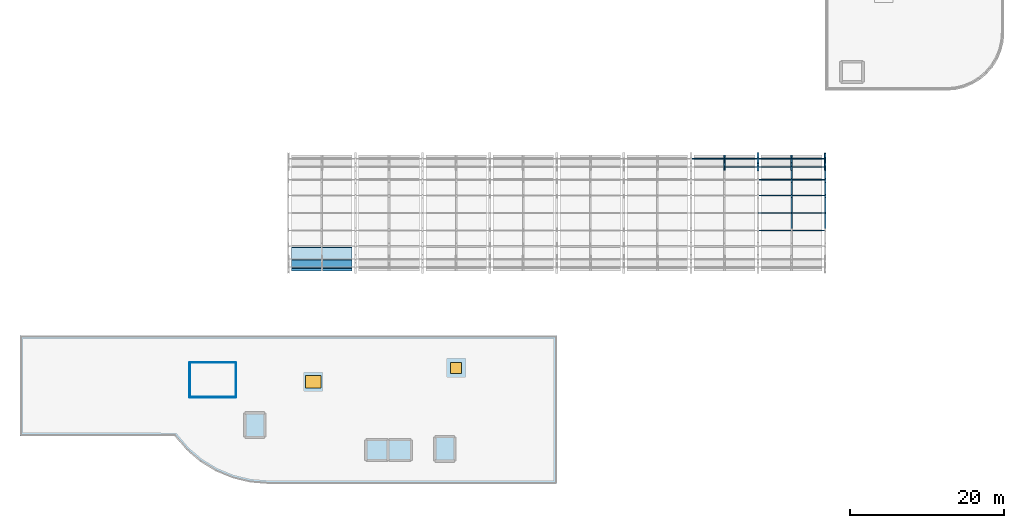
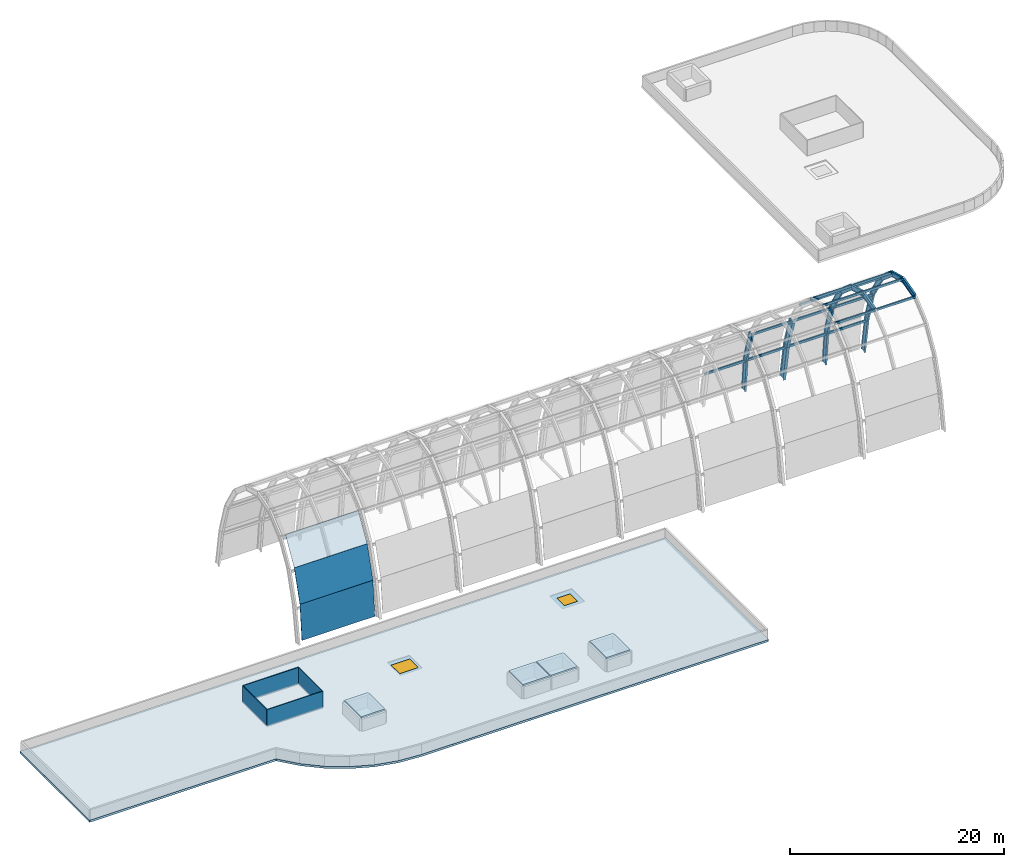
"""IFC4 building model written with IfcOpenShell, lengths in metres."""

from ifc_helpers import new_model, si_unit, derived_unit, direction, frame, origin, origin_2d, place, context, subcontext, project, spatial, polyline, rectangle, hollow_rectangle, i_section, outline, extrude, material, layer, layer_set, material_profile, profile_set, type_object, element, fill, save


model = new_model("IFC4")

# Units and contexts
model_context = context("Model", 3, precision=1e-05, world=origin(), true_north=direction((0.0, 1.0)))
body_context = subcontext(model_context, "Body", "Model", "MODEL_VIEW")
ifc_project = project(units=[si_unit("LENGTHUNIT", "METRE"), si_unit("AREAUNIT", "SQUARE_METRE"), si_unit("VOLUMEUNIT", "CUBIC_METRE"), si_unit("PLANEANGLEUNIT", "RADIAN"), si_unit("MASSUNIT", "GRAM", prefix="KILO"), derived_unit("THERMALTRANSMITTANCEUNIT", [(si_unit("MASSUNIT", "GRAM", prefix="KILO"), 1), (si_unit("TIMEUNIT", "SECOND"), -3), (si_unit("THERMODYNAMICTEMPERATUREUNIT", "KELVIN"), -1)])], contexts=[model_context])

# Site, building, storey
site_placement = place(None, origin())
site = spatial("IfcSite", under=ifc_project, at=site_placement, CompositionType="ELEMENT")
building_placement = place(site_placement, origin())
building = spatial("IfcBuilding", under=site, at=building_placement, Name="Qinzheling Arcade Emporium", CompositionType="ELEMENT")
storey_1_placement = place(building_placement, frame((0.0, 0.0, 41.10009765625)))
storey_1 = spatial("IfcBuildingStorey", under=building, at=storey_1_placement, Name="RF", CompositionType="ELEMENT", Elevation=41.10009765625)

# Beams
ifc_material_1 = material(Name="Weathering steel Q355NH", Category="steel")
ifc_material_profile_1 = material_profile(ifc_material_1, i_section(OverallWidth=0.199951171875, OverallDepth=0.60009765625, WebThickness=0.010986328125, FlangeThickness=0.01708984375, FilletRadius=0.02001953125, at=origin_2d()), Name="HN 600x200x11x17", Category="steel")
ifc_profile_set_1 = profile_set([ifc_material_profile_1], Name="Weathering steel Q355NH")
beam_type_1 = type_object("IfcBeamType", Name="Atrium End Arch Rib HN600 Q355NH", PredefinedType="BEAM", material=ifc_profile_set_1)
for number, where, z_axis, x_axis, name in (
    (1, (104.39990234375, 55.721923828125, 6.9169921875), (0.0, 0.96599008247, 0.25857911859), (-1.0, 0.0, 0.0), "Atrium Arch Rib VLT-ATRIUM-RIB-09-S05"),
    (2, (104.39990234375, 57.89990234375, 7.5), (0.0, 0.96599008247, -0.25857911859), (-1.0, 0.0, 0.0), "Atrium Arch Rib VLT-ATRIUM-RIB-09-S06"),
):
    element("IfcBeam", number, at=place(storey_1_placement, frame(where, z_axis=z_axis, x_axis=x_axis)), inside=storey_1, type_object=beam_type_1, Name=name, PredefinedType="BEAM", context=body_context, shape_type="SweptSolid", body=[
        extrude(i_section(OverallWidth=0.199951171875, OverallDepth=0.60009765625, WebThickness=0.010986328125, FlangeThickness=0.01708984375, FilletRadius=0.02001953125, at=origin_2d()), origin(), (0.0, 0.0, 1.0), 2.254638671875),
    ])
beam_1_placement = place(storey_1_placement, frame((104.39990234375, 60.077880859375, 6.9169921875), z_axis=(0.0, 0.759119305647, -0.650951518774), x_axis=(-1.0, 0.0, 0.0)))
element("IfcBeam", 3, at=beam_1_placement, inside=storey_1, type_object=beam_type_1, Name="Atrium Arch Rib VLT-ATRIUM-RIB-09-S07", PredefinedType="BEAM", context=body_context, shape_type="SweptSolid", body=[
    extrude(i_section(OverallWidth=0.199951171875, OverallDepth=0.60009765625, WebThickness=0.010986328125, FlangeThickness=0.01708984375, FilletRadius=0.02001953125, at=origin_2d()), origin(), (0.0, 0.0, 1.0), 2.63623046875),
])
beam_2_placement = place(storey_1_placement, frame((104.39990234375, 62.0791015625, 5.200927734375), z_axis=(0.0, 0.511083106472, -0.859531301512), x_axis=(-1.0, 0.0, 0.0)))
element("IfcBeam", 4, at=beam_2_placement, inside=storey_1, type_object=beam_type_1, Name="Atrium Arch Rib VLT-ATRIUM-RIB-09-S08", PredefinedType="BEAM", context=body_context, shape_type="SweptSolid", body=[
    extrude(i_section(OverallWidth=0.199951171875, OverallDepth=0.60009765625, WebThickness=0.010986328125, FlangeThickness=0.01708984375, FilletRadius=0.02001953125, at=origin_2d()), origin(), (0.0, 0.0, 1.0), 3.159912109375),
])
beam_3_placement = place(storey_1_placement, frame((104.39990234375, 63.694091796875, 2.48486328125), z_axis=(0.0, 0.289950987628, -0.957041495847), x_axis=(-1.0, 0.0, 0.0)))
element("IfcBeam", 5, at=beam_3_placement, inside=storey_1, type_object=beam_type_1, Name="Atrium Arch Rib VLT-ATRIUM-RIB-09-S09", PredefinedType="BEAM", context=body_context, shape_type="SweptSolid", body=[
    extrude(i_section(OverallWidth=0.199951171875, OverallDepth=0.60009765625, WebThickness=0.010986328125, FlangeThickness=0.01708984375, FilletRadius=0.02001953125, at=origin_2d()), origin(), (0.0, 0.0, 1.0), 3.603759765625),
])
beam_4_placement = place(storey_1_placement, frame((104.39990234375, 64.739013671875, -0.964111328125), z_axis=(0.0, 0.157788168776, -0.98747298383), x_axis=(-1.0, 0.0, 0.0)))
element("IfcBeam", 6, at=beam_4_placement, inside=storey_1, type_object=beam_type_1, Name="Atrium Arch Rib VLT-ATRIUM-RIB-09-S10", PredefinedType="BEAM", context=body_context, shape_type="SweptSolid", body=[
    extrude(i_section(OverallWidth=0.199951171875, OverallDepth=0.60009765625, WebThickness=0.010986328125, FlangeThickness=0.01708984375, FilletRadius=0.02001953125, at=origin_2d()), origin(), (0.0, 0.0, 1.0), 4.1884765625),
])
beam_5_placement = place(storey_1_placement, frame((91.35009765625, 63.695068359375, 2.48583984375), z_axis=(0.0, 0.29012392853, -0.956989083581), x_axis=(-1.0, 0.0, 0.0)))
element("IfcBeam", 7, at=beam_5_placement, inside=storey_1, type_object=beam_type_1, Name="Atrium Sub-Rib VLT-ATRIUM-SRIB-B07-S09", PredefinedType="BEAM", context=body_context, shape_type="SweptSolid", body=[
    extrude(i_section(OverallWidth=0.199951171875, OverallDepth=0.60009765625, WebThickness=0.010986328125, FlangeThickness=0.01708984375, FilletRadius=0.02001953125, at=origin_2d()), origin(), (0.0, 0.0, 1.0), 3.60498046875),
])
beam_6_placement = place(storey_1_placement, frame((91.35009765625, 64.740966796875, -0.964111328125), z_axis=(0.0, 0.093291990198, -0.995638792216), x_axis=(-1.0, 0.0, 0.0)))
element("IfcBeam", 8, at=beam_6_placement, inside=storey_1, type_object=beam_type_1, Name="Atrium Sub-Rib VLT-ATRIUM-SRIB-B07-S10", PredefinedType="BEAM", context=body_context, shape_type="SweptSolid", body=[
    extrude(i_section(OverallWidth=0.199951171875, OverallDepth=0.60009765625, WebThickness=0.010986328125, FlangeThickness=0.01708984375, FilletRadius=0.02001953125, at=origin_2d()), origin(), (0.0, 0.0, 1.0), 3.880859375),
])
beam_7_placement = place(storey_1_placement, frame((100.050048828125, 55.720947265625, 6.9189453125), z_axis=(0.0, 0.966019024802, 0.258470972686), x_axis=(-1.0, 0.0, 0.0)))
element("IfcBeam", 9, at=beam_7_placement, inside=storey_1, type_object=beam_type_1, Name="Atrium Sub-Rib VLT-ATRIUM-SRIB-B08-S05", PredefinedType="BEAM", context=body_context, shape_type="SweptSolid", body=[
    extrude(i_section(OverallWidth=0.199951171875, OverallDepth=0.60009765625, WebThickness=0.010986328125, FlangeThickness=0.01708984375, FilletRadius=0.02001953125, at=origin_2d()), origin(), (0.0, 0.0, 1.0), 2.255615234375),
])
beam_8_placement = place(storey_1_placement, frame((100.050048828125, 57.89990234375, 7.501953125), z_axis=(0.0, 0.966026254712, -0.258443949838), x_axis=(-1.0, 0.0, 0.0)))
element("IfcBeam", 10, at=beam_8_placement, inside=storey_1, type_object=beam_type_1, Name="Atrium Sub-Rib VLT-ATRIUM-SRIB-B08-S06", PredefinedType="BEAM", context=body_context, shape_type="SweptSolid", body=[
    extrude(i_section(OverallWidth=0.199951171875, OverallDepth=0.60009765625, WebThickness=0.010986328125, FlangeThickness=0.01708984375, FilletRadius=0.02001953125, at=origin_2d()), origin(), (0.0, 0.0, 1.0), 2.255859375),
])
beam_9_placement = place(storey_1_placement, frame((100.050048828125, 60.0791015625, 6.9189453125), z_axis=(0.0, 0.758897005565, -0.651210668636), x_axis=(-1.0, 0.0, 0.0)))
element("IfcBeam", 11, at=beam_9_placement, inside=storey_1, type_object=beam_type_1, Name="Atrium Sub-Rib VLT-ATRIUM-SRIB-B08-S07", PredefinedType="BEAM", context=body_context, shape_type="SweptSolid", body=[
    extrude(i_section(OverallWidth=0.199951171875, OverallDepth=0.60009765625, WebThickness=0.010986328125, FlangeThickness=0.01708984375, FilletRadius=0.02001953125, at=origin_2d()), origin(), (0.0, 0.0, 1.0), 2.63671875),
])
beam_10_placement = place(storey_1_placement, frame((100.050048828125, 62.080078125, 5.201904296875), z_axis=(0.0, 0.511083106472, -0.859531301512), x_axis=(-1.0, 0.0, 0.0)))
element("IfcBeam", 12, at=beam_10_placement, inside=storey_1, type_object=beam_type_1, Name="Atrium Sub-Rib VLT-ATRIUM-SRIB-B08-S08", PredefinedType="BEAM", context=body_context, shape_type="SweptSolid", body=[
    extrude(i_section(OverallWidth=0.199951171875, OverallDepth=0.60009765625, WebThickness=0.010986328125, FlangeThickness=0.01708984375, FilletRadius=0.02001953125, at=origin_2d()), origin(), (0.0, 0.0, 1.0), 3.159912109375),
])
beam_11_placement = place(storey_1_placement, frame((100.050048828125, 63.695068359375, 2.48583984375), z_axis=(0.0, 0.29012392853, -0.956989083581), x_axis=(-1.0, 0.0, 0.0)))
element("IfcBeam", 13, at=beam_11_placement, inside=storey_1, type_object=beam_type_1, Name="Atrium Sub-Rib VLT-ATRIUM-SRIB-B08-S09", PredefinedType="BEAM", context=body_context, shape_type="SweptSolid", body=[
    extrude(i_section(OverallWidth=0.199951171875, OverallDepth=0.60009765625, WebThickness=0.010986328125, FlangeThickness=0.01708984375, FilletRadius=0.02001953125, at=origin_2d()), origin(), (0.0, 0.0, 1.0), 3.60498046875),
])
beam_12_placement = place(storey_1_placement, frame((100.050048828125, 64.740966796875, -0.964111328125), z_axis=(0.0, 0.093291990198, -0.995638792216), x_axis=(-1.0, 0.0, 0.0)))
element("IfcBeam", 14, at=beam_12_placement, inside=storey_1, type_object=beam_type_1, Name="Atrium Sub-Rib VLT-ATRIUM-SRIB-B08-S10", PredefinedType="BEAM", context=body_context, shape_type="SweptSolid", body=[
    extrude(i_section(OverallWidth=0.199951171875, OverallDepth=0.60009765625, WebThickness=0.010986328125, FlangeThickness=0.01708984375, FilletRadius=0.02001953125, at=origin_2d()), origin(), (0.0, 0.0, 1.0), 3.880859375),
])

# Members
ifc_material_profile_2 = material_profile(ifc_material_1, hollow_rectangle(XDim=0.159912109375, YDim=0.260009765625, WallThickness=0.010009765625, InnerFilletRadius=0.010009765625, OuterFilletRadius=0.02001953125, at=origin_2d()), Name="RHS 260x160x10", Category="steel")
ifc_profile_set_2 = profile_set([ifc_material_profile_2], Name="Weathering steel Q355NH")
member_type = type_object("IfcMemberType", Name="Atrium Skylight Purlin RHS260 Q355NH", PredefinedType="PURLIN", material=ifc_profile_set_2)
member_1_placement = place(storey_1_placement, frame((91.35009765625, 63.85888671875, 2.201904296875), z_axis=(1.0, 0.0, 0.0), x_axis=(0.0, 1.0, 0.0)))
element("IfcMember", 15, at=member_1_placement, inside=storey_1, type_object=member_type, Name="Atrium Skylight Purlin VLT-ATRIUM-PUR-B07-N08-2", PredefinedType="PURLIN", context=body_context, shape_type="SweptSolid", body=[
    extrude(hollow_rectangle(XDim=0.159912109375, YDim=0.260009765625, WallThickness=0.010009765625, InnerFilletRadius=0.010009765625, OuterFilletRadius=0.02001953125, at=origin_2d()), origin(), (0.0, 0.0, 1.0), 4.349853515625),
])
member_2_placement = place(storey_1_placement, frame((87.0, 64.916015625, -1.380126953125), z_axis=(1.0, 0.0, 0.0), x_axis=(0.0, 1.0, 0.0)))
element("IfcMember", 16, at=member_2_placement, inside=storey_1, type_object=member_type, Name="Atrium Skylight Purlin VLT-ATRIUM-PUR-B07-N09-1", PredefinedType="PURLIN", context=body_context, shape_type="SweptSolid", body=[
    extrude(hollow_rectangle(XDim=0.159912109375, YDim=0.260009765625, WallThickness=0.010009765625, InnerFilletRadius=0.010009765625, OuterFilletRadius=0.02001953125, at=origin_2d()), origin(), (0.0, 0.0, 1.0), 4.35009765625),
])
member_3_placement = place(storey_1_placement, frame((91.35009765625, 64.916015625, -1.380126953125), z_axis=(1.0, 0.0, 0.0), x_axis=(0.0, 1.0, 0.0)))
element("IfcMember", 17, at=member_3_placement, inside=storey_1, type_object=member_type, Name="Atrium Skylight Purlin VLT-ATRIUM-PUR-B07-N09-2", PredefinedType="PURLIN", context=body_context, shape_type="SweptSolid", body=[
    extrude(hollow_rectangle(XDim=0.159912109375, YDim=0.260009765625, WallThickness=0.010009765625, InnerFilletRadius=0.010009765625, OuterFilletRadius=0.02001953125, at=origin_2d()), origin(), (0.0, 0.0, 1.0), 4.349853515625),
])
member_4_placement = place(storey_1_placement, frame((95.699951171875, 55.635986328125, 6.98095703125), z_axis=(1.0, 0.0, 0.0), x_axis=(0.0, 1.0, 0.0)))
element("IfcMember", 18, at=member_4_placement, inside=storey_1, type_object=member_type, Name="Atrium Skylight Purlin VLT-ATRIUM-PUR-B08-N04-1", PredefinedType="PURLIN", context=body_context, shape_type="SweptSolid", body=[
    extrude(hollow_rectangle(XDim=0.159912109375, YDim=0.260009765625, WallThickness=0.010009765625, InnerFilletRadius=0.010009765625, OuterFilletRadius=0.02001953125, at=origin_2d()), origin(), (0.0, 0.0, 1.0), 4.35009765625),
])
member_5_placement = place(storey_1_placement, frame((100.050048828125, 55.635986328125, 6.98095703125), z_axis=(1.0, 0.0, 0.0), x_axis=(0.0, 1.0, 0.0)))
element("IfcMember", 19, at=member_5_placement, inside=storey_1, type_object=member_type, Name="Atrium Skylight Purlin VLT-ATRIUM-PUR-B08-N04-2", PredefinedType="PURLIN", context=body_context, shape_type="SweptSolid", body=[
    extrude(hollow_rectangle(XDim=0.159912109375, YDim=0.260009765625, WallThickness=0.010009765625, InnerFilletRadius=0.010009765625, OuterFilletRadius=0.02001953125, at=origin_2d()), origin(), (0.0, 0.0, 1.0), 4.349853515625),
])
member_6_placement = place(storey_1_placement, frame((95.699951171875, 57.89990234375, 7.64599609375), z_axis=(1.0, 0.0, 0.0), x_axis=(0.0, 1.0, 0.0)))
element("IfcMember", 20, at=member_6_placement, inside=storey_1, type_object=member_type, Name="Atrium Skylight Purlin VLT-ATRIUM-PUR-B08-N05-1", PredefinedType="PURLIN", context=body_context, shape_type="SweptSolid", body=[
    extrude(hollow_rectangle(XDim=0.159912109375, YDim=0.260009765625, WallThickness=0.010009765625, InnerFilletRadius=0.010009765625, OuterFilletRadius=0.02001953125, at=origin_2d()), origin(), (0.0, 0.0, 1.0), 4.35009765625),
])
member_7_placement = place(storey_1_placement, frame((100.050048828125, 57.89990234375, 7.64599609375), z_axis=(1.0, 0.0, 0.0), x_axis=(0.0, 1.0, 0.0)))
element("IfcMember", 21, at=member_7_placement, inside=storey_1, type_object=member_type, Name="Atrium Skylight Purlin VLT-ATRIUM-PUR-B08-N05-2", PredefinedType="PURLIN", context=body_context, shape_type="SweptSolid", body=[
    extrude(hollow_rectangle(XDim=0.159912109375, YDim=0.260009765625, WallThickness=0.010009765625, InnerFilletRadius=0.010009765625, OuterFilletRadius=0.02001953125, at=origin_2d()), origin(), (0.0, 0.0, 1.0), 4.349853515625),
])
member_8_placement = place(storey_1_placement, frame((95.699951171875, 60.1640625, 6.98095703125), z_axis=(1.0, 0.0, 0.0), x_axis=(0.0, 1.0, 0.0)))
element("IfcMember", 22, at=member_8_placement, inside=storey_1, type_object=member_type, Name="Atrium Skylight Purlin VLT-ATRIUM-PUR-B08-N06-1", PredefinedType="PURLIN", context=body_context, shape_type="SweptSolid", body=[
    extrude(hollow_rectangle(XDim=0.159912109375, YDim=0.260009765625, WallThickness=0.010009765625, InnerFilletRadius=0.010009765625, OuterFilletRadius=0.02001953125, at=origin_2d()), origin(), (0.0, 0.0, 1.0), 4.35009765625),
])
member_9_placement = place(storey_1_placement, frame((100.050048828125, 60.1640625, 6.98095703125), z_axis=(1.0, 0.0, 0.0), x_axis=(0.0, 1.0, 0.0)))
element("IfcMember", 23, at=member_9_placement, inside=storey_1, type_object=member_type, Name="Atrium Skylight Purlin VLT-ATRIUM-PUR-B08-N06-2", PredefinedType="PURLIN", context=body_context, shape_type="SweptSolid", body=[
    extrude(hollow_rectangle(XDim=0.159912109375, YDim=0.260009765625, WallThickness=0.010009765625, InnerFilletRadius=0.010009765625, OuterFilletRadius=0.02001953125, at=origin_2d()), origin(), (0.0, 0.0, 1.0), 4.349853515625),
])
member_10_placement = place(storey_1_placement, frame((95.699951171875, 62.217041015625, 5.1240234375), z_axis=(1.0, 0.0, 0.0), x_axis=(0.0, 1.0, 0.0)))
element("IfcMember", 24, at=member_10_placement, inside=storey_1, type_object=member_type, Name="Atrium Skylight Purlin VLT-ATRIUM-PUR-B08-N07-1", PredefinedType="PURLIN", context=body_context, shape_type="SweptSolid", body=[
    extrude(hollow_rectangle(XDim=0.159912109375, YDim=0.260009765625, WallThickness=0.010009765625, InnerFilletRadius=0.010009765625, OuterFilletRadius=0.02001953125, at=origin_2d()), origin(), (0.0, 0.0, 1.0), 4.35009765625),
])
member_11_placement = place(storey_1_placement, frame((100.050048828125, 62.217041015625, 5.1240234375), z_axis=(1.0, 0.0, 0.0), x_axis=(0.0, 1.0, 0.0)))
element("IfcMember", 25, at=member_11_placement, inside=storey_1, type_object=member_type, Name="Atrium Skylight Purlin VLT-ATRIUM-PUR-B08-N07-2", PredefinedType="PURLIN", context=body_context, shape_type="SweptSolid", body=[
    extrude(hollow_rectangle(XDim=0.159912109375, YDim=0.260009765625, WallThickness=0.010009765625, InnerFilletRadius=0.010009765625, OuterFilletRadius=0.02001953125, at=origin_2d()), origin(), (0.0, 0.0, 1.0), 4.349853515625),
])
member_12_placement = place(storey_1_placement, frame((95.699951171875, 63.85888671875, 2.201904296875), z_axis=(1.0, 0.0, 0.0), x_axis=(0.0, 1.0, 0.0)))
element("IfcMember", 26, at=member_12_placement, inside=storey_1, type_object=member_type, Name="Atrium Skylight Purlin VLT-ATRIUM-PUR-B08-N08-1", PredefinedType="PURLIN", context=body_context, shape_type="SweptSolid", body=[
    extrude(hollow_rectangle(XDim=0.159912109375, YDim=0.260009765625, WallThickness=0.010009765625, InnerFilletRadius=0.010009765625, OuterFilletRadius=0.02001953125, at=origin_2d()), origin(), (0.0, 0.0, 1.0), 4.35009765625),
])
member_13_placement = place(storey_1_placement, frame((100.050048828125, 63.85888671875, 2.201904296875), z_axis=(1.0, 0.0, 0.0), x_axis=(0.0, 1.0, 0.0)))
element("IfcMember", 27, at=member_13_placement, inside=storey_1, type_object=member_type, Name="Atrium Skylight Purlin VLT-ATRIUM-PUR-B08-N08-2", PredefinedType="PURLIN", context=body_context, shape_type="SweptSolid", body=[
    extrude(hollow_rectangle(XDim=0.159912109375, YDim=0.260009765625, WallThickness=0.010009765625, InnerFilletRadius=0.010009765625, OuterFilletRadius=0.02001953125, at=origin_2d()), origin(), (0.0, 0.0, 1.0), 4.349853515625),
])
member_14_placement = place(storey_1_placement, frame((95.699951171875, 64.916015625, -1.380126953125), z_axis=(1.0, 0.0, 0.0), x_axis=(0.0, 1.0, 0.0)))
element("IfcMember", 28, at=member_14_placement, inside=storey_1, type_object=member_type, Name="Atrium Skylight Purlin VLT-ATRIUM-PUR-B08-N09-1", PredefinedType="PURLIN", context=body_context, shape_type="SweptSolid", body=[
    extrude(hollow_rectangle(XDim=0.159912109375, YDim=0.260009765625, WallThickness=0.010009765625, InnerFilletRadius=0.010009765625, OuterFilletRadius=0.02001953125, at=origin_2d()), origin(), (0.0, 0.0, 1.0), 4.35009765625),
])
member_15_placement = place(storey_1_placement, frame((100.050048828125, 64.916015625, -1.380126953125), z_axis=(1.0, 0.0, 0.0), x_axis=(0.0, 1.0, 0.0)))
element("IfcMember", 29, at=member_15_placement, inside=storey_1, type_object=member_type, Name="Atrium Skylight Purlin VLT-ATRIUM-PUR-B08-N09-2", PredefinedType="PURLIN", context=body_context, shape_type="SweptSolid", body=[
    extrude(hollow_rectangle(XDim=0.159912109375, YDim=0.260009765625, WallThickness=0.010009765625, InnerFilletRadius=0.010009765625, OuterFilletRadius=0.02001953125, at=origin_2d()), origin(), (0.0, 0.0, 1.0), 4.349853515625),
])

# Beams
ifc_material_profile_3 = material_profile(ifc_material_1, i_section(OverallWidth=0.300048828125, OverallDepth=0.699951171875, WebThickness=0.012939453125, FlangeThickness=0.02392578125, FilletRadius=0.02392578125, at=origin_2d()), Name="HN 700x300x13x24", Category="steel")
ifc_profile_set_3 = profile_set([ifc_material_profile_3], Name="Weathering steel Q355NH")
beam_type_2 = type_object("IfcBeamType", Name="Atrium Vault Arch Rib HN700 Q355NH", PredefinedType="BEAM", material=ifc_profile_set_3)
beam_13_placement = place(storey_1_placement, frame((95.699951171875, 63.64794921875, 2.46484375), z_axis=(0.0, 0.289977224011, -0.957033546724), x_axis=(-1.0, 0.0, 0.0)))
element("IfcBeam", 30, at=beam_13_placement, inside=storey_1, type_object=beam_type_2, Name="Atrium Arch Rib VLT-ATRIUM-RIB-08-S09", PredefinedType="BEAM", context=body_context, shape_type="SweptSolid", body=[
    extrude(i_section(OverallWidth=0.300048828125, OverallDepth=0.699951171875, WebThickness=0.012939453125, FlangeThickness=0.02392578125, FilletRadius=0.02392578125, at=origin_2d()), origin(), (0.0, 0.0, 1.0), 3.59326171875),
])
beam_14_placement = place(storey_1_placement, frame((95.699951171875, 64.68994140625, -0.97412109375), z_axis=(0.0, 0.167603896414, -0.985854418211), x_axis=(-1.0, 0.0, 0.0)))
element("IfcBeam", 31, at=beam_14_placement, inside=storey_1, type_object=beam_type_2, Name="Atrium Arch Rib VLT-ATRIUM-RIB-08-S10", PredefinedType="BEAM", context=body_context, shape_type="SweptSolid", body=[
    extrude(i_section(OverallWidth=0.300048828125, OverallDepth=0.699951171875, WebThickness=0.012939453125, FlangeThickness=0.02392578125, FilletRadius=0.02392578125, at=origin_2d()), origin(), (0.0, 0.0, 1.0), 4.23583984375),
])

# Plates
ifc_material_2 = material(Name="Mineral-wool-lined perforated aluminium acoustic panel", Category="aluminium")
ifc_layer_1 = layer(ifc_material_2, 0.06494140625, Name="Mineral-wool-lined perforated aluminium acoustic panel", Category="aluminium")
ifc_layer_set_1 = layer_set([ifc_layer_1], Name="Mineral-wool-lined perforated aluminium acoustic panel")
plate_type_1 = type_object("IfcPlateType", Name="Acoustic Roof Plant Screen Panel 65mm", PredefinedType="USERDEFINED", material=ifc_layer_set_1)
plate_1_placement = place(storey_1_placement, frame((28.0, 36.25, 0.0), z_axis=(0.0, 0.0, 1.0), x_axis=(0.0, 1.0, 0.0)))
element("IfcPlate", 32, at=plate_1_placement, inside=storey_1, type_object=plate_type_1, Name="Acoustic Plant Screen PLT-APS-RF-12", ObjectType="PLANT_SCREEN", PredefinedType="USERDEFINED", context=body_context, shape_type="SweptSolid", body=[
    extrude(rectangle(XDim=4.5, YDim=0.06494140625, at=origin_2d()), origin(), (0.0, 0.0, 1.0), 1.89990234375),
])
ifc_layer_2 = layer(ifc_material_2, 0.074951171875, Name="Mineral-wool-lined perforated aluminium acoustic panel", Category="aluminium")
ifc_layer_set_2 = layer_set([ifc_layer_2], Name="Mineral-wool-lined perforated aluminium acoustic panel")
plate_type_2 = type_object("IfcPlateType", Name="Acoustic Roof Plant Screen Panel 75mm", PredefinedType="USERDEFINED", material=ifc_layer_set_2)
plate_2_placement = place(storey_1_placement, frame((25.0, 34.0, 0.0), z_axis=(0.0, 0.0, 1.0), x_axis=(1.0, 0.0, 0.0)))
element("IfcPlate", 33, at=plate_2_placement, inside=storey_1, type_object=plate_type_2, Name="Acoustic Plant Screen PLT-APS-RF-09", ObjectType="PLANT_SCREEN", PredefinedType="USERDEFINED", context=body_context, shape_type="SweptSolid", body=[
    extrude(rectangle(XDim=6.0, YDim=0.074951171875, at=origin_2d()), origin(), (0.0, 0.0, 1.0), 1.89990234375),
])
ifc_layer_3 = layer(ifc_material_2, 0.0849609375, Name="Mineral-wool-lined perforated aluminium acoustic panel", Category="aluminium")
ifc_layer_set_3 = layer_set([ifc_layer_3], Name="Mineral-wool-lined perforated aluminium acoustic panel")
plate_type_3 = type_object("IfcPlateType", Name="Acoustic Roof Plant Screen Panel 85mm", PredefinedType="USERDEFINED", material=ifc_layer_set_3)
plate_3_placement = place(storey_1_placement, frame((25.0, 38.5, 0.0), z_axis=(0.0, 0.0, 1.0), x_axis=(1.0, 0.0, 0.0)))
element("IfcPlate", 34, at=plate_3_placement, inside=storey_1, type_object=plate_type_3, Name="Acoustic Plant Screen PLT-APS-RF-10", ObjectType="PLANT_SCREEN", PredefinedType="USERDEFINED", context=body_context, shape_type="SweptSolid", body=[
    extrude(rectangle(XDim=6.0, YDim=0.0849609375, at=origin_2d()), origin(), (0.0, 0.0, 1.0), 1.89990234375),
])
ifc_layer_4 = layer(ifc_material_2, 0.094970703125, Name="Mineral-wool-lined perforated aluminium acoustic panel", Category="aluminium")
ifc_layer_set_4 = layer_set([ifc_layer_4], Name="Mineral-wool-lined perforated aluminium acoustic panel")
plate_type_4 = type_object("IfcPlateType", Name="Acoustic Roof Plant Screen Panel 95mm", PredefinedType="USERDEFINED", material=ifc_layer_set_4)
plate_4_placement = place(storey_1_placement, frame((22.0, 36.25, 0.0), z_axis=(0.0, 0.0, 1.0), x_axis=(0.0, 1.0, 0.0)))
element("IfcPlate", 35, at=plate_4_placement, inside=storey_1, type_object=plate_type_4, Name="Acoustic Plant Screen PLT-APS-RF-11", ObjectType="PLANT_SCREEN", PredefinedType="USERDEFINED", context=body_context, shape_type="SweptSolid", body=[
    extrude(rectangle(XDim=4.5, YDim=0.094970703125, at=origin_2d()), origin(), (0.0, 0.0, 1.0), 1.89990234375),
])
ifc_material_3 = material(Name="Ceramic-fritted laminated skylight glass", Category="glass")
ifc_layer_5 = layer(ifc_material_3, 0.035888671875, Name="Ceramic-fritted laminated skylight glass", Category="glass")
ifc_layer_set_5 = layer_set([ifc_layer_5], Name="Ceramic-fritted laminated skylight glass")
plate_type_5 = type_object("IfcPlateType", Name="Barrel Vault Skylight Roof Panel 36mm", PredefinedType="USERDEFINED", material=ifc_layer_set_5)
plate_5_placement = place(storey_1_placement, frame((35.219970703125, 50.364013671875, -4.797119140625), z_axis=(0.0, -0.995589518511, 0.093816366541), x_axis=(1.0, 0.0, 0.0)))
element("IfcPlate", 36, at=plate_5_placement, inside=storey_1, type_object=plate_type_5, Name="Barrel Vault Skylight Roof Panel SKP-ATRIUM-B01-S01", ObjectType="SKYLIGHT_PANEL", PredefinedType="USERDEFINED", context=body_context, shape_type="SweptSolid", body=[
    extrude(outline(polyline([(0.0, 0.0), (7.860107421875, 0.0), (7.860107421875, 3.911293657022025), (0.0, 3.911293657022025), (0.0, 0.0)])), origin(), (0.0, 0.0, -1.0), 0.035888671875),
])
ifc_layer_6 = layer(ifc_material_3, 0.0400390625, Name="Ceramic-fritted laminated skylight glass", Category="glass")
ifc_layer_set_6 = layer_set([ifc_layer_6], Name="Ceramic-fritted laminated skylight glass")
plate_type_6 = type_object("IfcPlateType", Name="Barrel Vault Skylight Roof Panel 40mm", PredefinedType="USERDEFINED", material=ifc_layer_set_6)
plate_6_placement = place(storey_1_placement, frame((35.219970703125, 50.72900390625, -0.89404296875), z_axis=(0.0, -0.956970675176, 0.290184642691), x_axis=(1.0, 0.0, 0.0)))
element("IfcPlate", 37, at=plate_6_placement, inside=storey_1, type_object=plate_type_6, Name="Barrel Vault Skylight Roof Panel SKP-ATRIUM-B01-S02", ObjectType="SKYLIGHT_PANEL", PredefinedType="USERDEFINED", context=body_context, shape_type="SweptSolid", body=[
    extrude(outline(polyline([(0.0, 0.0), (7.860107421875, 0.0), (7.860107421875, 3.6698751400930294), (0.0, 3.6698751400930294), (0.0, 0.0)])), origin(), (0.0, 0.0, -1.0), 0.0400390625),
])
ifc_layer_7 = layer(ifc_material_3, 0.0439453125, Name="Ceramic-fritted laminated skylight glass", Category="glass")
ifc_layer_set_7 = layer_set([ifc_layer_7], Name="Ceramic-fritted laminated skylight glass")
plate_type_7 = type_object("IfcPlateType", Name="Barrel Vault Skylight Roof Panel 44mm", PredefinedType="USERDEFINED", material=ifc_layer_set_7)
plate_7_placement = place(storey_1_placement, frame((35.219970703125, 51.7939453125, 2.62890625), z_axis=(0.0, -0.859214140799, 0.51161612587), x_axis=(1.0, 0.0, 0.0)))
element("IfcPlate", 38, at=plate_7_placement, inside=storey_1, type_object=plate_type_7, Name="Barrel Vault Skylight Roof Panel SKP-ATRIUM-B01-S03", ObjectType="SKYLIGHT_PANEL", PredefinedType="USERDEFINED", context=body_context, shape_type="SweptSolid", body=[
    extrude(outline(polyline([(0.0, 0.0), (7.860107421875, 0.0), (7.860107421875, 3.2449255722280164), (0.0, 3.2449255722280164), (0.0, 0.0)])), origin(), (0.0, 0.0, -1.0), 0.0439453125),
])

# Slab, openings
ifc_material_4 = material(Name="Concrete C40", Category="concrete")
ifc_layer_8 = layer(ifc_material_4, 0.239990234375, Name="Concrete C40", Category="concrete")
ifc_layer_set_8 = layer_set([ifc_layer_8], Name="Concrete C40")
slab_type_1 = type_object("IfcSlabType", Name="Insulated Flat Roof Slab 240 C40", PredefinedType="ROOF", material=ifc_layer_set_8)
slab_1_placement = place(storey_1_placement, frame((0.0, 0.0, -0.239990234375)))
slab_1 = element("IfcSlab", 39, at=slab_1_placement, inside=storey_1, type_object=slab_type_1, Name="Roof Slab SLB-RF-V1", PredefinedType="ROOF", context=body_context, shape_type="SweptSolid", body=[
    extrude(outline(polyline([(34.800048828125, 42.0), (17.199951171875, 42.0), (0.0, 42.0), (0.0, 29.0), (20.06494140625, 28.98291015625), (21.593017578125, 27.193115234375), (23.383056640625, 25.6650390625), (25.389892578125, 24.43505859375), (27.56494140625, 23.533935546875), (29.85302734375, 22.985107421875), (32.199951171875, 22.800048828125), (69.60009765625, 22.800048828125), (69.60009765625, 42.0), (34.800048828125, 42.0)])), origin(), (0.0, 0.0, 1.0), 0.239990234375),
])
opening_1_placement = place(slab_1_placement, frame((38.0, 36.0, -0.010009765625)))
opening_1 = element("IfcOpeningElement", 40, at=opening_1_placement, cuts=slab_1, Name="Opening RH04", PredefinedType="OPENING", context=body_context, shape_type="SweptSolid", body=[
    extrude(rectangle(XDim=2.0, YDim=1.60009765625, at=origin_2d()), origin(), (0.0, 0.0, 1.0), 0.260009765625),
])
opening_2_placement = place(slab_1_placement, frame((56.550048828125, 37.800048828125, -0.010009765625)))
opening_2 = element("IfcOpeningElement", 41, at=opening_2_placement, cuts=slab_1, Name="Opening RH01", PredefinedType="OPENING", context=body_context, shape_type="SweptSolid", body=[
    extrude(rectangle(XDim=1.39990234375, YDim=1.39990234375, at=origin_2d()), origin(), (0.0, 0.0, 1.0), 0.260009765625),
])

# Storey
storey_2_placement = place(building_placement, frame((0.0, 0.0, 36.300048828125)))
storey_2 = spatial("IfcBuildingStorey", under=building, at=storey_2_placement, Name="L08", CompositionType="ELEMENT", Elevation=36.300048828125)

# Window
ifc_material_5 = material(Name="Insulated aluminium skylight hatch", Category="aluminium")
window_type_1 = type_object("IfcWindowType", Name="Insulated Roof Smoke and Access Hatch 1400x1400", PartitioningType="SINGLE_PANEL", PredefinedType="SKYLIGHT", material=ifc_material_5)
window_1_placement = place(opening_2_placement, frame((0.0, 0.0, 0.199951171875)))
window_1 = element("IfcWindow", 42, at=window_1_placement, inside=storey_2, type_object=window_type_1, Name="RH01 Roof Hatch RHT-L08-10", OverallHeight=1.39990234375, OverallWidth=1.39990234375, PartitioningType="SINGLE_PANEL", PredefinedType="SKYLIGHT", context=body_context, shape_type="SweptSolid", body=[
    extrude(rectangle(XDim=1.39990234375, YDim=1.39990234375, at=origin_2d()), origin(), (0.0, 0.0, 1.0), 0.050048828125),
])

fill(opening_2, window_1)

window_type_2 = type_object("IfcWindowType", Name="Insulated Roof Smoke and Access Hatch 2000x1600", PartitioningType="SINGLE_PANEL", PredefinedType="SKYLIGHT", material=ifc_material_5)
window_2_placement = place(opening_1_placement, frame((0.0, 0.0, 0.199951171875)))
window_2 = element("IfcWindow", 43, at=window_2_placement, inside=storey_2, type_object=window_type_2, Name="RH04 Roof Hatch RHT-L08-09", OverallHeight=1.60009765625, OverallWidth=2.0, PartitioningType="SINGLE_PANEL", PredefinedType="SKYLIGHT", context=body_context, shape_type="SweptSolid", body=[
    extrude(rectangle(XDim=2.0, YDim=1.60009765625, at=origin_2d()), origin(), (0.0, 0.0, 1.0), 0.050048828125),
])

fill(opening_1, window_2)

# Slabs
ifc_layer_9 = layer(ifc_material_4, 0.18994140625, Name="Concrete C40", Category="concrete")
ifc_layer_set_9 = layer_set([ifc_layer_9], Name="Concrete C40")
slab_type_2 = type_object("IfcSlabType", Name="Lift Overrun Roof Slab 190 C40", PredefinedType="ROOF", material=ifc_layer_set_9)
slab_2_placement = place(storey_1_placement, frame((0.0, 0.0, 1.5)))
element("IfcSlab", 44, at=slab_2_placement, inside=storey_1, type_object=slab_type_2, Name="Lift Overrun Roof SLB-OVR-LF01", PredefinedType="ROOF", context=body_context, shape_type="SweptSolid", body=[
    extrude(outline(polyline([(53.824951171875, 25.72509765625), (56.375, 25.72509765625), (56.375, 28.875), (53.824951171875, 28.875), (53.824951171875, 25.72509765625)])), origin(), (0.0, 0.0, 1.0), 0.18994140625),
])
slab_3_placement = place(storey_1_placement, frame((0.0, 0.0, 1.5)))
element("IfcSlab", 45, at=slab_3_placement, inside=storey_1, type_object=slab_type_2, Name="Lift Overrun Roof SLB-OVR-LF02", PredefinedType="ROOF", context=body_context, shape_type="SweptSolid", body=[
    extrude(outline(polyline([(29.175048828125, 28.824951171875), (31.72509765625, 28.824951171875), (31.72509765625, 31.97509765625), (29.175048828125, 31.97509765625), (29.175048828125, 28.824951171875)])), origin(), (0.0, 0.0, 1.0), 0.18994140625),
])
slab_4_placement = place(storey_1_placement, frame((0.0, 0.0, 1.5)))
element("IfcSlab", 46, at=slab_4_placement, inside=storey_1, type_object=slab_type_2, Name="Lift Overrun Roof SLB-OVR-LP01", PredefinedType="ROOF", context=body_context, shape_type="SweptSolid", body=[
    extrude(outline(polyline([(44.875, 25.824951171875), (47.72509765625, 25.824951171875), (47.72509765625, 28.47509765625), (44.875, 28.47509765625), (44.875, 25.824951171875)])), origin(), (0.0, 0.0, 1.0), 0.18994140625),
])
slab_5_placement = place(storey_1_placement, frame((0.0, 0.0, 1.5)))
element("IfcSlab", 47, at=slab_5_placement, inside=storey_1, type_object=slab_type_2, Name="Lift Overrun Roof SLB-OVR-LP02", PredefinedType="ROOF", context=body_context, shape_type="SweptSolid", body=[
    extrude(outline(polyline([(47.875, 25.824951171875), (50.72509765625, 25.824951171875), (50.72509765625, 28.47509765625), (47.875, 28.47509765625), (47.875, 25.824951171875)])), origin(), (0.0, 0.0, 1.0), 0.18994140625),
])

save(model, "model.ifc")
